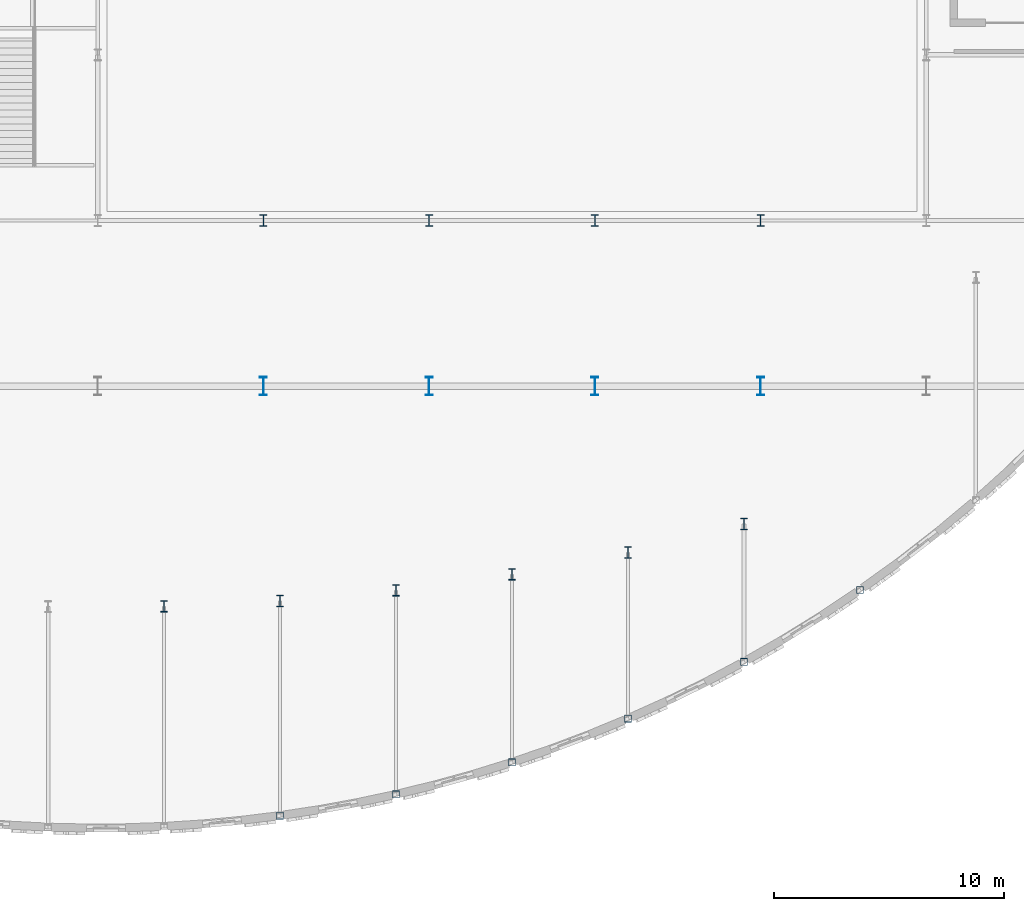
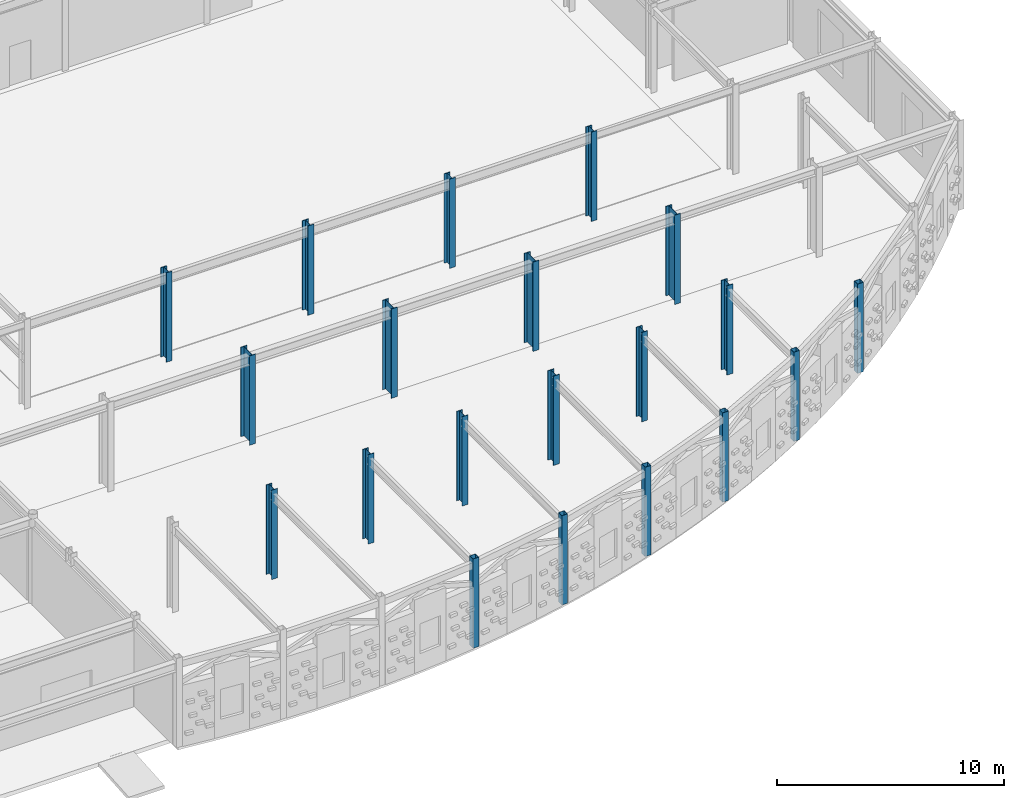
# One storey, part 5 of 83: 20 columns.
"""IFC4 building model written with IfcOpenShell, lengths in metres."""

from ifc_helpers import new_model, si_unit, direction, frame, origin, origin_2d, place, context, subcontext, project, spatial, hollow_rectangle, i_section, extrude, material, material_profile, profile_set, type_object, element, save


model = new_model("IFC4")

# Units and contexts
model_context = context("Model", 3, precision=1e-05, world=origin(), true_north=direction((0.0, 1.0)))
body_context = subcontext(model_context, "Body", "Model", "MODEL_VIEW")
ifc_project = project(units=[si_unit("LENGTHUNIT", "METRE"), si_unit("AREAUNIT", "SQUARE_METRE"), si_unit("VOLUMEUNIT", "CUBIC_METRE"), si_unit("PLANEANGLEUNIT", "RADIAN"), si_unit("MASSUNIT", "GRAM", prefix="KILO")], contexts=[model_context])

# Site, building, storey
site_placement = place(None, origin())
site = spatial("IfcSite", under=ifc_project, at=site_placement, CompositionType="ELEMENT")
building_placement = place(site_placement, origin())
building = spatial("IfcBuilding", under=site, at=building_placement, Name="Solvadek Multi-Sports Hall", CompositionType="ELEMENT")
storey_placement = place(building_placement, origin())
storey = spatial("IfcBuildingStorey", under=building, at=storey_placement, Name="L00", CompositionType="ELEMENT", Elevation=0.0)

# Columns
ifc_material = material(Name="Steel E350 (350 MPa)", Category="steel")
ifc_material_profile_1 = material_profile(ifc_material, hollow_rectangle(XDim=0.300048828125, YDim=0.300048828125, WallThickness=0.012451171875, at=origin_2d()), Name="SHS 300x300x12.5")
ifc_profile_set_1 = profile_set([ifc_material_profile_1], Name="Steel E350 (350 MPa)")
column_type_1 = type_object("IfcColumnType", Name="STR-COL-SHS300", PredefinedType="COLUMN", material=ifc_profile_set_1)
for number, where, z_axis, x_axis, name in (
    (1, (101.52001953125, -12.65869140625, 0.0), (0.0, 0.0, 1.0), (1.0, 0.0, 0.0), "L00 Column C-10 #296"),
    (2, (106.56005859375, -11.73876953125, 0.0), (0.0, 0.0, 1.0), (1.0, 0.0, 0.0), "L00 Column C-10 #298"),
    (3, (111.60009765625, -10.346435546875, 0.0), (0.0, 0.0, 1.0), (1.0, 0.0, 0.0), "L00 Column C-10 #300"),
    (4, (116.639892578125, -8.4453125, 0.0), (0.0, 0.0, 1.0), (1.0, 0.0, 0.0), "L00 Column C-10 #302"),
    (5, (121.679931640625, -5.97802734375, 0.0), (0.0, 0.0, 1.0), (1.0, 0.0, 0.0), "L00 Column C-10 #304"),
    (6, (126.719970703125, -2.857177734375, 0.0), (0.0, 0.0, 1.0), (1.0, 0.0, 0.0), "L00 Column C-10 #306"),
):
    element("IfcColumn", number, at=place(storey_placement, frame(where, z_axis=z_axis, x_axis=x_axis)), inside=storey, type_object=column_type_1, Name=name, PredefinedType="COLUMN", context=body_context, shape_type="SweptSolid", body=[
        extrude(hollow_rectangle(XDim=0.300048828125, YDim=0.300048828125, WallThickness=0.012451171875, at=origin_2d()), origin(), (0.0, 0.0, 1.0), 4.800048828125),
    ])
ifc_material_profile_2 = material_profile(ifc_material, i_section(OverallWidth=0.300048828125, OverallDepth=0.5, WebThickness=0.014404296875, FlangeThickness=0.028076171875, at=origin_2d()), Name="WPB 500")
ifc_profile_set_2 = profile_set([ifc_material_profile_2], Name="Steel E350 (350 MPa)")
column_type_2 = type_object("IfcColumnType", Name="STR-COL-WPB500", PredefinedType="COLUMN", material=ifc_profile_set_2)
for number, where, z_axis, x_axis, name in (
    (7, (100.800048828125, 13.199951171875, 0.0), (0.0, 0.0, 1.0), (1.0, 0.0, 0.0), "L00 Column C-05 #199"),
    (8, (108.0, 13.199951171875, 0.0), (0.0, 0.0, 1.0), (1.0, 0.0, 0.0), "L00 Column C-05 #207"),
    (9, (115.199951171875, 13.199951171875, 0.0), (0.0, 0.0, 1.0), (1.0, 0.0, 0.0), "L00 Column C-05 #215"),
    (10, (122.39990234375, 13.199951171875, 0.0), (0.0, 0.0, 1.0), (1.0, 0.0, 0.0), "L00 Column C-05 #223"),
    (11, (96.47998046875, -3.564453125, 0.0), (0.0, 0.0, 1.0), (1.0, 0.0, 0.0), "L00 Column C-05 #295"),
    (12, (101.52001953125, -3.329345703125, 0.0), (0.0, 0.0, 1.0), (1.0, 0.0, 0.0), "L00 Column C-05 #297"),
    (13, (106.56005859375, -2.869384765625, 0.0), (0.0, 0.0, 1.0), (1.0, 0.0, 0.0), "L00 Column C-05 #299"),
    (14, (111.60009765625, -2.17333984375, 0.0), (0.0, 0.0, 1.0), (1.0, 0.0, 0.0), "L00 Column C-05 #301"),
    (15, (116.639892578125, -1.22265625, 0.0), (0.0, 0.0, 1.0), (1.0, 0.0, 0.0), "L00 Column C-05 #303"),
    (16, (121.679931640625, 0.010986328125, 0.0), (0.0, 0.0, 1.0), (1.0, 0.0, 0.0), "L00 Column C-05 #305"),
):
    element("IfcColumn", number, at=place(storey_placement, frame(where, z_axis=z_axis, x_axis=x_axis)), inside=storey, type_object=column_type_2, Name=name, PredefinedType="COLUMN", context=body_context, shape_type="SweptSolid", body=[
        extrude(i_section(OverallWidth=0.300048828125, OverallDepth=0.5, WebThickness=0.014404296875, FlangeThickness=0.028076171875, at=origin_2d()), origin(), (0.0, 0.0, 1.0), 4.800048828125),
    ])
ifc_material_profile_3 = material_profile(ifc_material, i_section(OverallWidth=0.300048828125, OverallDepth=0.800048828125, WebThickness=0.017578125, FlangeThickness=0.032958984375, at=origin_2d()), Name="WPB 800")
ifc_profile_set_3 = profile_set([ifc_material_profile_3], Name="Steel E350 (350 MPa)")
column_type_3 = type_object("IfcColumnType", Name="STR-COL-WPB800", PredefinedType="COLUMN", material=ifc_profile_set_3)
for number, where, z_axis, x_axis, name in (
    (17, (100.800048828125, 6.0, 0.0), (0.0, 0.0, 1.0), (1.0, 0.0, 0.0), "L00 Column C-01 #198"),
    (18, (108.0, 6.0, 0.0), (0.0, 0.0, 1.0), (1.0, 0.0, 0.0), "L00 Column C-01 #206"),
    (19, (115.199951171875, 6.0, 0.0), (0.0, 0.0, 1.0), (1.0, 0.0, 0.0), "L00 Column C-01 #214"),
    (20, (122.39990234375, 6.0, 0.0), (0.0, 0.0, 1.0), (1.0, 0.0, 0.0), "L00 Column C-01 #222"),
):
    element("IfcColumn", number, at=place(storey_placement, frame(where, z_axis=z_axis, x_axis=x_axis)), inside=storey, type_object=column_type_3, Name=name, PredefinedType="COLUMN", context=body_context, shape_type="SweptSolid", body=[
        extrude(i_section(OverallWidth=0.300048828125, OverallDepth=0.800048828125, WebThickness=0.017578125, FlangeThickness=0.032958984375, at=origin_2d()), origin(), (0.0, 0.0, 1.0), 4.800048828125),
    ])

save(model, "model.ifc")
